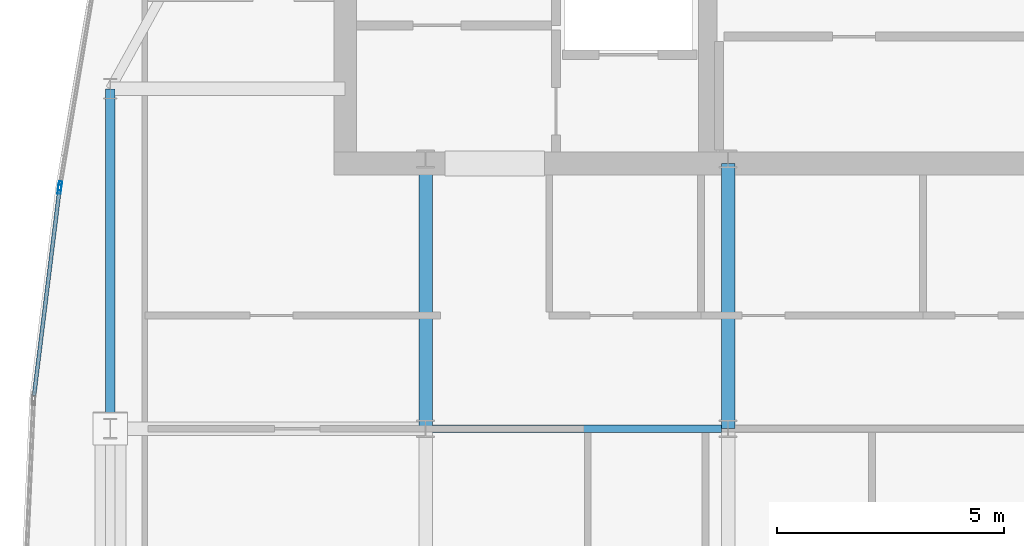
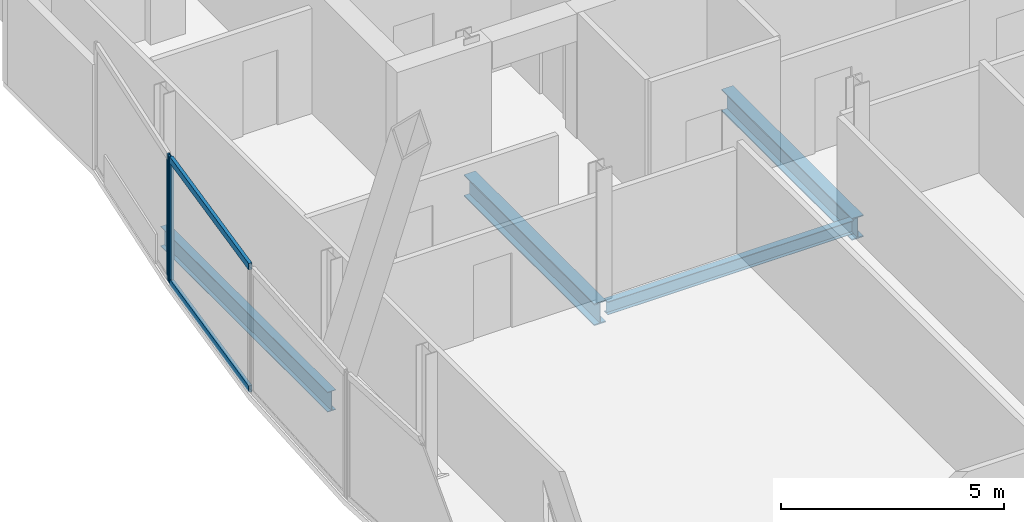
# One storey, part 11 of 29: 4 beams, 4 members, 2 elements without a shape of their own.
"""IFC4 building model written with IfcOpenShell, lengths in metres."""

from ifc_helpers import new_model, si_unit, direction, frame, origin, origin_2d, place, context, subcontext, project, spatial, hollow_rectangle, i_section, extrude, material, material_profile, profile_set, type_object, element, aggregate, save


model = new_model("IFC4")

# Units and contexts
model_context = context("Model", 3, precision=1e-05, world=origin(), true_north=direction((0.0, 1.0)))
body_context = subcontext(model_context, "Body", "Model", "MODEL_VIEW")
ifc_project = project(units=[si_unit("LENGTHUNIT", "METRE"), si_unit("AREAUNIT", "SQUARE_METRE"), si_unit("VOLUMEUNIT", "CUBIC_METRE"), si_unit("PLANEANGLEUNIT", "RADIAN"), si_unit("MASSUNIT", "GRAM", prefix="KILO")], contexts=[model_context])

# Site, building, storey
site_placement = place(None, origin())
site = spatial("IfcSite", under=ifc_project, at=site_placement, CompositionType="ELEMENT")
building_placement = place(site_placement, origin())
building = spatial("IfcBuilding", under=site, at=building_placement, Name="Khoronbel Lancet Exchange", CompositionType="ELEMENT")
storey_placement = place(building_placement, frame((0.0, 0.0, 336.199951171875)))
storey = spatial("IfcBuildingStorey", under=building, at=storey_placement, Name="L87", CompositionType="ELEMENT", Elevation=336.199951171875)

# Beams
ifc_material_1 = material(Name="Steel S355", Category="steel")
ifc_material_profile_1 = material_profile(ifc_material_1, i_section(OverallWidth=0.300048828125, OverallDepth=0.60009765625, WebThickness=0.015380859375, FlangeThickness=0.030029296875, at=origin_2d()), Name="HEB 600")
ifc_profile_set_1 = profile_set([ifc_material_profile_1], Name="Steel S355")
beam_type_1 = type_object("IfcBeamType", Name="BM-BG5", PredefinedType="BEAM", material=ifc_profile_set_1)
for number, where, z_axis, x_axis, name in (
    (1, (18.22509765625, 35.699951171875, -0.4599609375), (0.0, 1.0, 0.0), (-1.0, 0.0, 0.0), "Level L87 spine tie girder GN1"),
    (2, (24.89990234375, 35.699951171875, -0.4599609375), (0.0, 1.0, 0.0), (-1.0, 0.0, 0.0), "Level L87 spine tie girder GN2"),
):
    element("IfcBeam", number, at=place(storey_placement, frame(where, z_axis=z_axis, x_axis=x_axis)), inside=storey, type_object=beam_type_1, Name=name, PredefinedType="BEAM", context=body_context, shape_type="SweptSolid", body=[
        extrude(i_section(OverallWidth=0.300048828125, OverallDepth=0.60009765625, WebThickness=0.015380859375, FlangeThickness=0.030029296875, at=origin_2d()), origin(), (0.0, 0.0, 1.0), 5.85009765625),
    ])
ifc_material_profile_2 = material_profile(ifc_material_1, i_section(OverallWidth=0.169921875, OverallDepth=0.360107421875, WebThickness=0.008056640625, FlangeThickness=0.0126953125, at=origin_2d()), Name="IPE 360")
ifc_profile_set_2 = profile_set([ifc_material_profile_2], Name="Steel S355")
beam_type_2 = type_object("IfcBeamType", Name="BM-BJ6", PredefinedType="JOIST", material=ifc_profile_set_2)
beam_1_placement = place(storey_placement, frame((18.375, 35.699951171875, -0.33984375), z_axis=(1.0, 0.0, 0.0), x_axis=(0.0, 1.0, 0.0)))
element("IfcBeam", 3, at=beam_1_placement, inside=storey, type_object=beam_type_2, Name="Level L87 secondary composite joist J10", PredefinedType="JOIST", context=body_context, shape_type="SweptSolid", body=[
    extrude(i_section(OverallWidth=0.169921875, OverallDepth=0.360107421875, WebThickness=0.008056640625, FlangeThickness=0.0126953125, at=origin_2d()), origin(), (0.0, 0.0, 1.0), 6.375),
])
ifc_material_profile_3 = material_profile(ifc_material_1, i_section(OverallWidth=0.2099609375, OverallDepth=0.550048828125, WebThickness=0.010986328125, FlangeThickness=0.01708984375, at=origin_2d()), Name="IPE 550")
ifc_profile_set_3 = profile_set([ifc_material_profile_3], Name="Steel S355")
beam_type_3 = type_object("IfcBeamType", Name="BM-BSP3", PredefinedType="SPANDREL", material=ifc_profile_set_3)
beam_2_placement = place(storey_placement, frame((11.27001953125, 43.199951171875, -0.43505859375), z_axis=(0.0, -1.0, 0.0), x_axis=(1.0, 0.0, 0.0)))
element("IfcBeam", 4, at=beam_2_placement, inside=storey, type_object=beam_type_3, Name="Level L87 perimeter spandrel beam SP15", PredefinedType="SPANDREL", context=body_context, shape_type="SweptSolid", body=[
    extrude(i_section(OverallWidth=0.2099609375, OverallDepth=0.550048828125, WebThickness=0.010986328125, FlangeThickness=0.01708984375, at=origin_2d()), origin(), (0.0, 0.0, 1.0), 7.5),
])

# Curtain wall, member
ifc_material_2 = material(Name="Low-E Solar Control Insulating Glass", Category="glass")
curtain_wall_type = type_object("IfcCurtainWallType", Name="CW-4", PredefinedType="NOTDEFINED", material=ifc_material_2)
curtain_wall_1_placement = place(storey_placement, origin())
curtain_wall_1 = element("IfcCurtainWall", 5, at=curtain_wall_1_placement, inside=storey, type_object=curtain_wall_type, Name="Unitised curtain wall CW-L87-E08", PredefinedType="NOTDEFINED")
ifc_material_3 = material(Name="Bronze-Anodised Aluminium 6063-T6", Category="aluminium")
ifc_material_profile_4 = material_profile(ifc_material_3, hollow_rectangle(XDim=0.074951171875, YDim=0.199951171875, WallThickness=0.0048828125, at=origin_2d()), Name="ALU MULLION 75x200")
ifc_profile_set_4 = profile_set([ifc_material_profile_4], Name="Bronze-Anodised Aluminium 6063-T6")
member_type_1 = type_object("IfcMemberType", Name="MEM-CWM2", PredefinedType="MULLION", material=ifc_profile_set_4)
member_1_placement = place(storey_placement, frame((10.14697265625, 40.983154296875, 0.0), z_axis=(0.0, 0.0, 1.0), x_axis=(-0.992456344352, 0.122598550384, 0.0)))
member_1 = element("IfcMember", 6, at=member_1_placement, type_object=member_type_1, Name="CW4 mullion 2", PredefinedType="MULLION", context=body_context, shape_type="SweptSolid", body=[
    extrude(hollow_rectangle(XDim=0.074951171875, YDim=0.199951171875, WallThickness=0.0048828125, at=origin_2d()), origin(), (0.0, 0.0, 1.0), 3.43994140625),
])

curtain_wall_2_placement = place(storey_placement, origin())
curtain_wall_2 = element("IfcCurtainWall", 7, at=curtain_wall_2_placement, inside=storey, type_object=curtain_wall_type, Name="Unitised curtain wall CW-L87-E09", PredefinedType="NOTDEFINED")
member_2_placement = place(storey_placement, frame((10.157958984375, 41.057373046875, 0.0), z_axis=(0.0, 0.0, 1.0), x_axis=(-0.986059939458, 0.166390491902, 0.0)))
member_2 = element("IfcMember", 8, at=member_2_placement, type_object=member_type_1, Name="CW4 mullion 1", PredefinedType="MULLION", context=body_context, shape_type="SweptSolid", body=[
    extrude(hollow_rectangle(XDim=0.074951171875, YDim=0.199951171875, WallThickness=0.0048828125, at=origin_2d()), origin(), (0.0, 0.0, 1.0), 3.43994140625),
])
aggregate(curtain_wall_2, [member_2])

# Member
ifc_material_profile_5 = material_profile(ifc_material_3, hollow_rectangle(XDim=0.0849609375, YDim=0.179931640625, WallThickness=0.0048828125, at=origin_2d()), Name="ALU TRANSOM 85x180")
ifc_profile_set_5 = profile_set([ifc_material_profile_5], Name="Bronze-Anodised Aluminium 6063-T6")
member_type_2 = type_object("IfcMemberType", Name="MEM-CWT1", PredefinedType="USERDEFINED", material=ifc_profile_set_5)
member_3_placement = place(storey_placement, frame((9.5849609375, 36.43359375, 0.04248046875), z_axis=(0.122593829963, 0.992456927456, 0.0), x_axis=(-0.992456927456, 0.122593829963, 0.0)))
member_3 = element("IfcMember", 9, at=member_3_placement, type_object=member_type_2, Name="CW4 transom 1.1", ObjectType="TRANSOM", PredefinedType="USERDEFINED", context=body_context, shape_type="SweptSolid", body=[
    extrude(hollow_rectangle(XDim=0.0849609375, YDim=0.179931640625, WallThickness=0.0048828125, at=origin_2d()), origin(), (0.0, 0.0, 1.0), 4.54638671875),
])

member_4_placement = place(storey_placement, frame((9.5849609375, 36.43359375, 3.3974609375), z_axis=(0.122593829963, 0.992456927456, 0.0), x_axis=(-0.992456927456, 0.122593829963, 0.0)))
member_4 = element("IfcMember", 10, at=member_4_placement, type_object=member_type_2, Name="CW4 transom 1.2", ObjectType="TRANSOM", PredefinedType="USERDEFINED", context=body_context, shape_type="SweptSolid", body=[
    extrude(hollow_rectangle(XDim=0.0849609375, YDim=0.179931640625, WallThickness=0.0048828125, at=origin_2d()), origin(), (0.0, 0.0, 1.0), 4.54638671875),
])

aggregate(curtain_wall_1, [member_1, member_3, member_4])

save(model, "model.ifc")
